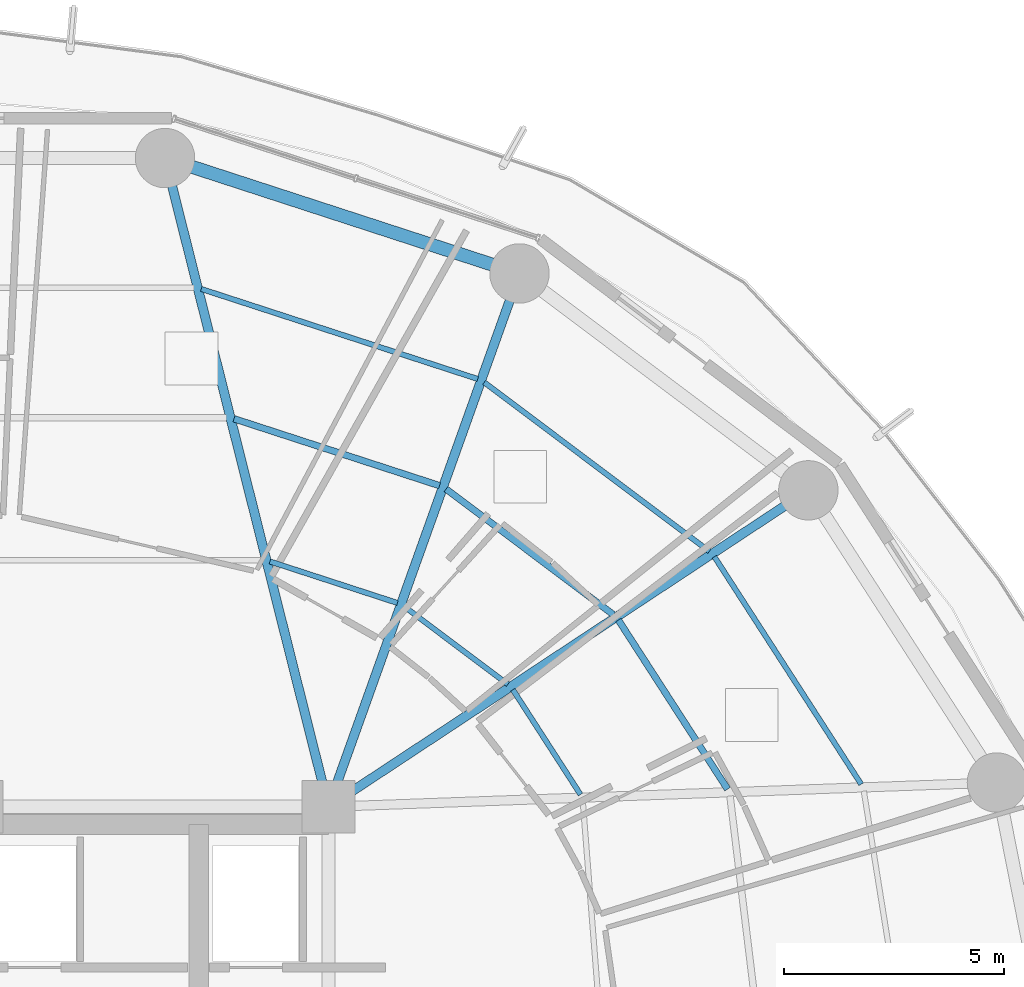
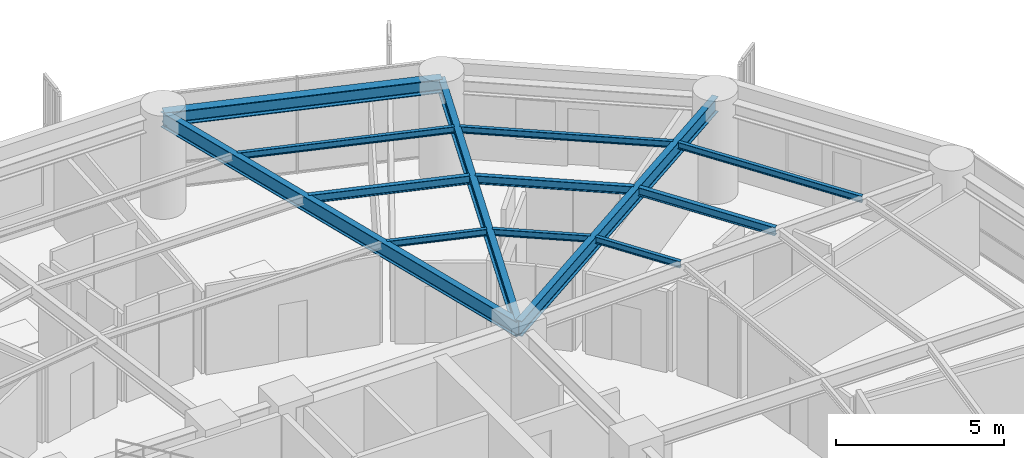
# One storey, part 24 of 37: 13 beams.
"""IFC4 building model written with IfcOpenShell, lengths in metres."""

from ifc_helpers import new_model, si_unit, direction, frame, origin, origin_2d, place, context, subcontext, project, spatial, i_section, extrude, material, material_profile, profile_set, type_object, element, save


model = new_model("IFC4")

# Units and contexts
model_context = context("Model", 3, precision=1e-05, world=origin(), true_north=direction((0.0, 1.0)))
body_context = subcontext(model_context, "Body", "Model", "MODEL_VIEW")
ifc_project = project(units=[si_unit("LENGTHUNIT", "METRE"), si_unit("AREAUNIT", "SQUARE_METRE"), si_unit("VOLUMEUNIT", "CUBIC_METRE"), si_unit("PLANEANGLEUNIT", "RADIAN"), si_unit("MASSUNIT", "GRAM", prefix="KILO")], contexts=[model_context])

# Site, building, storey
site_placement = place(None, origin())
site = spatial("IfcSite", under=ifc_project, at=site_placement, CompositionType="ELEMENT")
building_placement = place(site_placement, origin())
building = spatial("IfcBuilding", under=site, at=building_placement, Name="Kelanora Arch Commons", CompositionType="ELEMENT")
storey_placement = place(building_placement, frame((0.0, 0.0, 110.10009765625)))
storey = spatial("IfcBuildingStorey", under=building, at=storey_placement, Name="L28", CompositionType="ELEMENT", Elevation=110.10009765625)

# Beams
ifc_material = material(Name="Steel S355", Category="steel")
ifc_material_profile_1 = material_profile(ifc_material, i_section(OverallWidth=0.14990234375, OverallDepth=0.300048828125, WebThickness=0.007080078125, FlangeThickness=0.0107421875, FilletRadius=0.014892578125, at=origin_2d()), Name="IPE300")
ifc_profile_set_1 = profile_set([ifc_material_profile_1], Name="Steel S355")
beam_type_1 = type_object("IfcBeamType", Name="BM-JST-01", PredefinedType="JOIST", material=ifc_profile_set_1)
beam_1_placement = place(storey_placement, frame((91.06884765625, 65.402587890625, 3.33984375), z_axis=(-0.542230243286, 0.840229946661, 0.0), x_axis=(-0.840229946661, -0.542230243286, 0.0)))
element("IfcBeam", 1, at=beam_1_placement, inside=storey, type_object=beam_type_1, Name="Secondary Chord Joist BJB-02 L28", PredefinedType="JOIST", context=body_context, shape_type="SweptSolid", body=[
    extrude(i_section(OverallWidth=0.14990234375, OverallDepth=0.300048828125, WebThickness=0.007080078125, FlangeThickness=0.0107421875, FilletRadius=0.014892578125, at=origin_2d()), origin(), (0.0, 0.0, 1.0), 4.572265625),
])
beam_2_placement = place(storey_placement, frame((88.4755859375, 69.36669921875, 3.33984375), z_axis=(-0.79971039107, 0.600385951214, 0.0), x_axis=(-0.600385951214, -0.79971039107, 0.0)))
element("IfcBeam", 2, at=beam_2_placement, inside=storey, type_object=beam_type_1, Name="Secondary Chord Joist BJB-04 L28", PredefinedType="JOIST", context=body_context, shape_type="SweptSolid", body=[
    extrude(i_section(OverallWidth=0.14990234375, OverallDepth=0.300048828125, WebThickness=0.007080078125, FlangeThickness=0.0107421875, FilletRadius=0.014892578125, at=origin_2d()), origin(), (0.0, 0.0, 1.0), 4.756103515625),
])
beam_3_placement = place(storey_placement, frame((84.523193359375, 72.29931640625, 3.33984375), z_axis=(-0.950857140254, 0.309629938521, 0.0), x_axis=(-0.309629938521, -0.950857140254, 0.0)))
element("IfcBeam", 3, at=beam_3_placement, inside=storey, type_object=beam_type_1, Name="Secondary Chord Joist BJB-06 L28", PredefinedType="JOIST", context=body_context, shape_type="SweptSolid", body=[
    extrude(i_section(OverallWidth=0.14990234375, OverallDepth=0.300048828125, WebThickness=0.007080078125, FlangeThickness=0.0107421875, FilletRadius=0.014892578125, at=origin_2d()), origin(), (0.0, 0.0, 1.0), 4.912353515625),
])
ifc_material_profile_2 = material_profile(ifc_material, i_section(OverallWidth=0.1201171875, OverallDepth=0.239990234375, WebThickness=0.006103515625, FlangeThickness=0.009765625, FilletRadius=0.014892578125, at=origin_2d()), Name="IPE240")
ifc_profile_set_2 = profile_set([ifc_material_profile_2], Name="Steel S355")
beam_type_2 = type_object("IfcBeamType", Name="BM-JST-02", PredefinedType="JOIST", material=ifc_profile_set_2)
beam_4_placement = place(storey_placement, frame((87.726806640625, 65.281005859375, 3.369873046875), z_axis=(-0.542211255502, 0.840242199849, 0.0), x_axis=(-0.840242199849, -0.542211255502, 0.0)))
element("IfcBeam", 4, at=beam_4_placement, inside=storey, type_object=beam_type_2, Name="Secondary Chord Joist BJA-02 L28", PredefinedType="JOIST", context=body_context, shape_type="SweptSolid", body=[
    extrude(i_section(OverallWidth=0.1201171875, OverallDepth=0.239990234375, WebThickness=0.006103515625, FlangeThickness=0.009765625, FilletRadius=0.014892578125, at=origin_2d()), origin(), (0.0, 0.0, 1.0), 2.83349609375),
])
beam_5_placement = place(storey_placement, frame((94.107177734375, 65.512939453125, 3.369873046875), z_axis=(-0.542212726273, 0.840241250754, 0.0), x_axis=(-0.840241250754, -0.542212726273, 0.0)))
element("IfcBeam", 5, at=beam_5_placement, inside=storey, type_object=beam_type_2, Name="Secondary Chord Joist BJC-02 L28", PredefinedType="JOIST", context=body_context, shape_type="SweptSolid", body=[
    extrude(i_section(OverallWidth=0.1201171875, OverallDepth=0.239990234375, WebThickness=0.006103515625, FlangeThickness=0.009765625, FilletRadius=0.014892578125, at=origin_2d()), origin(), (0.0, 0.0, 1.0), 6.15283203125),
])
beam_6_placement = place(storey_placement, frame((86.076416015625, 67.7841796875, 3.369873046875), z_axis=(-0.799692034361, 0.600410401458, 0.0), x_axis=(-0.600410401458, -0.799692034361, 0.0)))
element("IfcBeam", 6, at=beam_6_placement, inside=storey, type_object=beam_type_2, Name="Secondary Chord Joist BJA-04 L28", PredefinedType="JOIST", context=body_context, shape_type="SweptSolid", body=[
    extrude(i_section(OverallWidth=0.1201171875, OverallDepth=0.239990234375, WebThickness=0.006103515625, FlangeThickness=0.009765625, FilletRadius=0.014892578125, at=origin_2d()), origin(), (0.0, 0.0, 1.0), 2.949951171875),
])
beam_7_placement = place(storey_placement, frame((90.65673828125, 70.805419921875, 3.369873046875), z_axis=(-0.799734335646, 0.600354055861, 0.0), x_axis=(-0.600354055861, -0.799734335646, 0.0)))
element("IfcBeam", 7, at=beam_7_placement, inside=storey, type_object=beam_type_2, Name="Secondary Chord Joist BJC-04 L28", PredefinedType="JOIST", context=body_context, shape_type="SweptSolid", body=[
    extrude(i_section(OverallWidth=0.1201171875, OverallDepth=0.239990234375, WebThickness=0.006103515625, FlangeThickness=0.009765625, FilletRadius=0.014892578125, at=origin_2d()), origin(), (0.0, 0.0, 1.0), 6.39794921875),
])
beam_8_placement = place(storey_placement, frame((83.568359375, 69.632568359375, 3.369873046875), z_axis=(-0.950846758946, 0.309661817151, 0.0), x_axis=(-0.309661817151, -0.950846758946, 0.0)))
element("IfcBeam", 8, at=beam_8_placement, inside=storey, type_object=beam_type_2, Name="Secondary Chord Joist BJA-06 L28", PredefinedType="JOIST", context=body_context, shape_type="SweptSolid", body=[
    extrude(i_section(OverallWidth=0.1201171875, OverallDepth=0.239990234375, WebThickness=0.006103515625, FlangeThickness=0.009765625, FilletRadius=0.014892578125, at=origin_2d()), origin(), (0.0, 0.0, 1.0), 3.048828125),
])
beam_9_placement = place(storey_placement, frame((85.39111328125, 74.723876953125, 3.369873046875), z_axis=(-0.950862829272, 0.309612467301, 0.0), x_axis=(-0.309612467301, -0.950862829272, 0.0)))
element("IfcBeam", 9, at=beam_9_placement, inside=storey, type_object=beam_type_2, Name="Secondary Chord Joist BJC-06 L28", PredefinedType="JOIST", context=body_context, shape_type="SweptSolid", body=[
    extrude(i_section(OverallWidth=0.1201171875, OverallDepth=0.239990234375, WebThickness=0.006103515625, FlangeThickness=0.009765625, FilletRadius=0.014892578125, at=origin_2d()), origin(), (0.0, 0.0, 1.0), 6.6064453125),
])
ifc_material_profile_3 = material_profile(ifc_material, i_section(OverallWidth=0.2099609375, OverallDepth=0.550048828125, WebThickness=0.010986328125, FlangeThickness=0.01708984375, FilletRadius=0.02392578125, at=origin_2d()), Name="IPE550")
ifc_profile_set_3 = profile_set([ifc_material_profile_3], Name="Steel S355")
beam_type_3 = type_object("IfcBeamType", Name="BM-RAD-Z2", PredefinedType="BEAM", material=ifc_profile_set_3)
beam_10_placement = place(storey_placement, frame((82.0, 65.0, 3.21484375), z_axis=(0.834788577908, 0.550570640512, 0.0), x_axis=(-0.550570640512, 0.834788577908, 0.0)))
element("IfcBeam", 10, at=beam_10_placement, inside=storey, type_object=beam_type_3, Name="Radial Floor Girder BR-04 L28", PredefinedType="BEAM", context=body_context, shape_type="SweptSolid", body=[
    extrude(i_section(OverallWidth=0.2099609375, OverallDepth=0.550048828125, WebThickness=0.010986328125, FlangeThickness=0.01708984375, FilletRadius=0.02392578125, at=origin_2d()), origin(), (0.0, 0.0, 1.0), 13.064453125),
])
beam_11_placement = place(storey_placement, frame((82.0, 65.0, 3.21484375), z_axis=(0.337084640008, 0.941474346687, 0.0), x_axis=(-0.941474346687, 0.337084640008, 0.0)))
element("IfcBeam", 11, at=beam_11_placement, inside=storey, type_object=beam_type_3, Name="Radial Floor Girder BR-06 L28", PredefinedType="BEAM", context=body_context, shape_type="SweptSolid", body=[
    extrude(i_section(OverallWidth=0.2099609375, OverallDepth=0.550048828125, WebThickness=0.010986328125, FlangeThickness=0.01708984375, FilletRadius=0.02392578125, at=origin_2d()), origin(), (0.0, 0.0, 1.0), 12.875244140625),
])
beam_12_placement = place(storey_placement, frame((82.0, 65.0, 3.21484375), z_axis=(-0.244280647475, 0.969704576286, 0.0), x_axis=(-0.969704576286, -0.244280647475, 0.0)))
element("IfcBeam", 12, at=beam_12_placement, inside=storey, type_object=beam_type_3, Name="Radial Floor Girder BR-08 L28", PredefinedType="BEAM", context=body_context, shape_type="SweptSolid", body=[
    extrude(i_section(OverallWidth=0.2099609375, OverallDepth=0.550048828125, WebThickness=0.010986328125, FlangeThickness=0.01708984375, FilletRadius=0.02392578125, at=origin_2d()), origin(), (0.0, 0.0, 1.0), 15.205322265625),
])
ifc_material_profile_4 = material_profile(ifc_material, i_section(OverallWidth=0.300048828125, OverallDepth=0.5, WebThickness=0.014404296875, FlangeThickness=0.028076171875, FilletRadius=0.027099609375, at=origin_2d()), Name="HEB500")
ifc_profile_set_4 = profile_set([ifc_material_profile_4], Name="Steel S355")
beam_type_4 = type_object("IfcBeamType", Name="BM-SPN-Z2", PredefinedType="SPANDREL", material=ifc_profile_set_4)
beam_13_placement = place(storey_placement, frame((86.340087890625, 77.121826171875, 3.239990234375), z_axis=(-0.950856631974, 0.309631499418, 0.0), x_axis=(-0.309631499418, -0.950856631974, 0.0)))
element("IfcBeam", 13, at=beam_13_placement, inside=storey, type_object=beam_type_4, Name="Perimeter Spandrel Beam BS-06 L28", PredefinedType="SPANDREL", context=body_context, shape_type="SweptSolid", body=[
    extrude(i_section(OverallWidth=0.300048828125, OverallDepth=0.5, WebThickness=0.014404296875, FlangeThickness=0.028076171875, FilletRadius=0.027099609375, at=origin_2d()), origin(), (0.0, 0.0, 1.0), 8.470703125),
])

save(model, "model.ifc")
